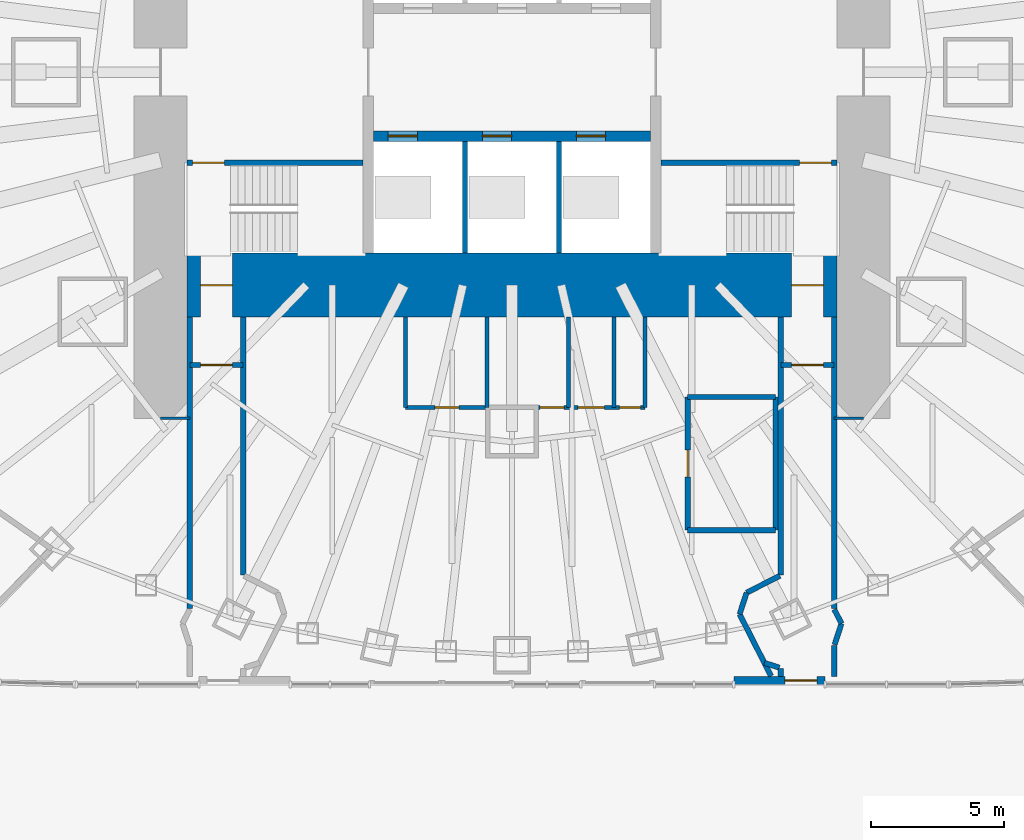
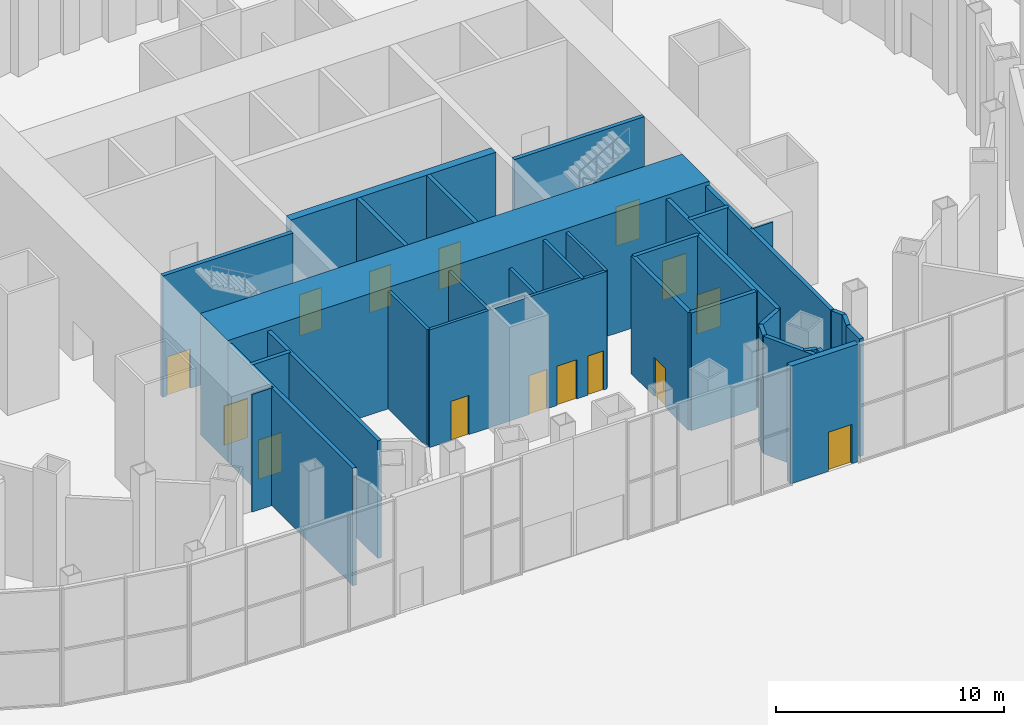
# One storey, part 17 of 47: 33 walls, 15 doors, 15 openings.
"""IFC4 building model written with IfcOpenShell, lengths in metres."""

from ifc_helpers import new_model, si_unit, direction, frame, frame_2d, origin, place, context, subcontext, project, spatial, rectangle, extrude, material, layer, layer_set, type_object, element, fill, save


model = new_model("IFC4")

# Units and contexts
model_context = context("Model", 3, precision=1e-05, world=origin(), true_north=direction((0.0, 1.0)))
body_context = subcontext(model_context, "Body", "Model", "MODEL_VIEW")
ifc_project = project(units=[si_unit("LENGTHUNIT", "METRE"), si_unit("AREAUNIT", "SQUARE_METRE"), si_unit("VOLUMEUNIT", "CUBIC_METRE"), si_unit("PLANEANGLEUNIT", "RADIAN"), si_unit("MASSUNIT", "GRAM", prefix="KILO")], contexts=[model_context])

# Site, building, storey
site_placement = place(None, origin())
site = spatial("IfcSite", under=ifc_project, at=site_placement, CompositionType="ELEMENT")
building_placement = place(site_placement, origin())
building = spatial("IfcBuilding", under=site, at=building_placement, Name="Lantaw Convention Tower", CompositionType="ELEMENT")
storey_placement = place(building_placement, origin())
storey = spatial("IfcBuildingStorey", under=building, at=storey_placement, Name="L00", CompositionType="ELEMENT", Elevation=0.0)

# Wall, opening, door
ifc_material_1 = material(Name="Concrete C60/75", Category="concrete")
ifc_layer_1 = layer(ifc_material_1, 0.199951171875)
ifc_layer_set_1 = layer_set([ifc_layer_1], Name="Core wall 200")
wall_type_1 = type_object("IfcWallType", Name="Core wall 200", PredefinedType="SHEAR", material=ifc_layer_set_1)
wall_1_placement = place(storey_placement, frame((5.60009765625, -3.39990234375, 0.0), z_axis=(0.0, 0.0, 1.0), x_axis=(1.0, 0.0, 0.0)))
wall_1 = element("IfcWall", 1, at=wall_1_placement, inside=storey, type_object=wall_type_1, Name="Core wall ES", PredefinedType="SHEAR", context=body_context, shape_type="SweptSolid", body=[
    extrude(rectangle(XDim=6.599853515625, YDim=0.199951171875, at=frame_2d((3.2998046875, 0.0))), origin(), (0.0, 0.0, 1.0), 6.5),
])
opening_1_placement = place(wall_1_placement, frame((5.199951171875, 0.0, 0.0)))
opening_1 = element("IfcOpeningElement", 2, at=opening_1_placement, cuts=wall_1, Name="Opening L00.03", PredefinedType="OPENING", context=body_context, shape_type="SweptSolid", body=[
    extrude(rectangle(XDim=1.199951171875, YDim=2.10009765625, at=frame_2d((0.60009765625, 1.050048828125))), frame((0.0, 0.10986328125, 0.0), z_axis=(0.0, -1.0, 0.0), x_axis=(1.0, 0.0, 0.0)), (0.0, 0.0, 1.0), 0.219970703125),
])
ifc_material_2 = material(Name="Steel, fire rated", Category="steel")
door_type_1 = type_object("IfcDoorType", Name="Stair door FD90", OperationType="SINGLE_SWING_RIGHT", PredefinedType="DOOR", material=ifc_material_2)
door_1_placement = place(opening_1_placement, origin())
door_1 = element("IfcDoor", 3, at=door_1_placement, inside=storey, type_object=door_type_1, Name="Exit stair door", OperationType="SINGLE_SWING_RIGHT", OverallHeight=2.10009765625, OverallWidth=1.199951171875, PredefinedType="DOOR", context=body_context, shape_type="SweptSolid", body=[
    extrude(rectangle(XDim=1.199951171875, YDim=2.10009765625, at=frame_2d((0.60009765625, 1.050048828125))), frame((0.0, 0.02490234375, 0.0), z_axis=(0.0, -1.0, 0.0), x_axis=(1.0, 0.0, 0.0)), (0.0, 0.0, 1.0), 0.050048828125),
])
fill(opening_1, door_1)

wall_2_placement = place(storey_placement, frame((-5.60009765625, -3.39990234375, 0.0), z_axis=(0.0, 0.0, 1.0), x_axis=(-1.0, 0.0, 0.0)))
wall_2 = element("IfcWall", 4, at=wall_2_placement, inside=storey, type_object=wall_type_1, Name="Core wall WS", PredefinedType="SHEAR", context=body_context, shape_type="SweptSolid", body=[
    extrude(rectangle(XDim=6.599853515625, YDim=0.199951171875, at=frame_2d((3.2998046875, 0.0))), origin(), (0.0, 0.0, 1.0), 6.5),
])
opening_2_placement = place(wall_2_placement, frame((5.199951171875, 0.0, 0.0)))
opening_2 = element("IfcOpeningElement", 5, at=opening_2_placement, cuts=wall_2, Name="Opening L00.04", PredefinedType="OPENING", context=body_context, shape_type="SweptSolid", body=[
    extrude(rectangle(XDim=1.199951171875, YDim=2.10009765625, at=frame_2d((0.60009765625, 1.050048828125))), frame((0.0, 0.10986328125, 0.0), z_axis=(0.0, -1.0, 0.0), x_axis=(1.0, 0.0, 0.0)), (0.0, 0.0, 1.0), 0.219970703125),
])
door_2_placement = place(opening_2_placement, origin())
door_2 = element("IfcDoor", 6, at=door_2_placement, inside=storey, type_object=door_type_1, Name="Exit stair door", OperationType="SINGLE_SWING_RIGHT", OverallHeight=2.10009765625, OverallWidth=1.199951171875, PredefinedType="DOOR", context=body_context, shape_type="SweptSolid", body=[
    extrude(rectangle(XDim=1.199951171875, YDim=2.10009765625, at=frame_2d((0.60009765625, 1.050048828125))), frame((0.0, 0.02490234375, 0.0), z_axis=(0.0, -1.0, 0.0), x_axis=(1.0, 0.0, 0.0)), (0.0, 0.0, 1.0), 0.050048828125),
])
fill(opening_2, door_2)

# Wall, openings, doors
ifc_layer_2 = layer(ifc_material_1, 2.39990234375)
ifc_layer_set_2 = layer_set([ifc_layer_2], Name="Core wall 2400")
wall_type_2 = type_object("IfcWallType", Name="Core wall 2400", PredefinedType="SHEAR", material=ifc_layer_set_2)
wall_3_placement = place(storey_placement, frame((-12.199951171875, -8.0, 0.0), z_axis=(0.0, 0.0, 1.0), x_axis=(1.0, 0.0, 0.0)))
wall_3 = element("IfcWall", 7, at=wall_3_placement, inside=storey, type_object=wall_type_2, Name="Core wall S", PredefinedType="SHEAR", context=body_context, shape_type="SweptSolid", body=[
    extrude(rectangle(XDim=24.39990234375, YDim=2.39990234375, at=frame_2d((12.199951171875, 0.0))), origin(), (0.0, 0.0, 1.0), 6.5),
])
opening_3_placement = place(wall_3_placement, frame((0.5, 0.0, 0.0)))
opening_3 = element("IfcOpeningElement", 8, at=opening_3_placement, cuts=wall_3, Name="Opening L00.33", PredefinedType="OPENING", context=body_context, shape_type="SweptSolid", body=[
    extrude(rectangle(XDim=1.199951171875, YDim=2.10009765625, at=frame_2d((0.60009765625, 1.050048828125))), frame((0.0, 1.2099609375, 0.0), z_axis=(0.0, -1.0, 0.0), x_axis=(1.0, 0.0, 0.0)), (0.0, 0.0, 1.0), 2.419921875),
])
opening_4_placement = place(wall_3_placement, frame((22.699951171875, 0.0, 0.0)))
opening_4 = element("IfcOpeningElement", 9, at=opening_4_placement, cuts=wall_3, Name="Opening L00.35", PredefinedType="OPENING", context=body_context, shape_type="SweptSolid", body=[
    extrude(rectangle(XDim=1.199951171875, YDim=2.10009765625, at=frame_2d((0.60009765625, 1.050048828125))), frame((0.0, 1.2099609375, 0.0), z_axis=(0.0, -1.0, 0.0), x_axis=(1.0, 0.0, 0.0)), (0.0, 0.0, 1.0), 2.419921875),
])
door_3_placement = place(opening_3_placement, origin())
door_3 = element("IfcDoor", 10, at=door_3_placement, inside=storey, type_object=door_type_1, Name="Exit stair discharge door", OperationType="SINGLE_SWING_LEFT", OverallHeight=2.10009765625, OverallWidth=1.199951171875, PredefinedType="DOOR", context=body_context, shape_type="SweptSolid", body=[
    extrude(rectangle(XDim=1.199951171875, YDim=2.10009765625, at=frame_2d((0.60009765625, 1.050048828125))), frame((0.0, 0.02490234375, 0.0), z_axis=(0.0, -1.0, 0.0), x_axis=(1.0, 0.0, 0.0)), (0.0, 0.0, 1.0), 0.050048828125),
])
fill(opening_3, door_3)
door_4_placement = place(opening_4_placement, origin())
door_4 = element("IfcDoor", 11, at=door_4_placement, inside=storey, type_object=door_type_1, Name="Exit stair discharge door", OperationType="SINGLE_SWING_LEFT", OverallHeight=2.10009765625, OverallWidth=1.199951171875, PredefinedType="DOOR", context=body_context, shape_type="SweptSolid", body=[
    extrude(rectangle(XDim=1.199951171875, YDim=2.10009765625, at=frame_2d((0.60009765625, 1.050048828125))), frame((0.0, 0.02490234375, 0.0), z_axis=(0.0, -1.0, 0.0), x_axis=(1.0, 0.0, 0.0)), (0.0, 0.0, 1.0), 0.050048828125),
])
fill(opening_4, door_4)

ifc_layer_3 = layer(ifc_material_1, 0.39990234375)
ifc_layer_set_3 = layer_set([ifc_layer_3], Name="Core wall 400")
wall_type_3 = type_object("IfcWallType", Name="Core wall 400", PredefinedType="SHEAR", material=ifc_layer_set_3)
wall_4_placement = place(storey_placement, frame((-5.199951171875, -2.39990234375, 0.0), z_axis=(0.0, 0.0, 1.0), x_axis=(1.0, 0.0, 0.0)))
wall_4 = element("IfcWall", 12, at=wall_4_placement, inside=storey, type_object=wall_type_3, Name="Core wall BS", PredefinedType="SHEAR", context=body_context, shape_type="SweptSolid", body=[
    extrude(rectangle(XDim=10.39990234375, YDim=0.39990234375, at=frame_2d((5.199951171875, 0.0))), origin(), (0.0, 0.0, 1.0), 6.5),
])
opening_5_placement = place(wall_4_placement, frame((0.550048828125, 0.0, 0.0)))
opening_5 = element("IfcOpeningElement", 13, at=opening_5_placement, cuts=wall_4, Name="Opening L00.08", PredefinedType="OPENING", context=body_context, shape_type="SweptSolid", body=[
    extrude(rectangle(XDim=1.10009765625, YDim=2.199951171875, at=frame_2d((0.550048828125, 1.10009765625))), frame((0.0, 0.2099609375, 0.0), z_axis=(0.0, -1.0, 0.0), x_axis=(1.0, 0.0, 0.0)), (0.0, 0.0, 1.0), 0.419921875),
])
opening_6_placement = place(wall_4_placement, frame((4.083251953125, 0.0, 0.0)))
opening_6 = element("IfcOpeningElement", 14, at=opening_6_placement, cuts=wall_4, Name="Opening L00.10", PredefinedType="OPENING", context=body_context, shape_type="SweptSolid", body=[
    extrude(rectangle(XDim=1.10009765625, YDim=2.199951171875, at=frame_2d((0.550048828125, 1.10009765625))), frame((0.0, 0.2099609375, 0.0), z_axis=(0.0, -1.0, 0.0), x_axis=(1.0, 0.0, 0.0)), (0.0, 0.0, 1.0), 0.419921875),
])
opening_7_placement = place(wall_4_placement, frame((7.61669921875, 0.0, 0.0)))
opening_7 = element("IfcOpeningElement", 15, at=opening_7_placement, cuts=wall_4, Name="Opening L00.12", PredefinedType="OPENING", context=body_context, shape_type="SweptSolid", body=[
    extrude(rectangle(XDim=1.10009765625, YDim=2.199951171875, at=frame_2d((0.550048828125, 1.10009765625))), frame((0.0, 0.2099609375, 0.0), z_axis=(0.0, -1.0, 0.0), x_axis=(1.0, 0.0, 0.0)), (0.0, 0.0, 1.0), 0.419921875),
])
ifc_material_3 = material(Name="Stainless steel", Category="steel")
door_type_2 = type_object("IfcDoorType", Name="Lift landing door 1100", OperationType="DOUBLE_DOOR_SLIDING", PredefinedType="DOOR", material=ifc_material_3)
door_5_placement = place(opening_5_placement, origin())
door_5 = element("IfcDoor", 16, at=door_5_placement, inside=storey, type_object=door_type_2, Name="Lift landing door H1", OperationType="DOUBLE_DOOR_SLIDING", OverallHeight=2.199951171875, OverallWidth=1.10009765625, PredefinedType="DOOR", context=body_context, shape_type="SweptSolid", body=[
    extrude(rectangle(XDim=1.10009765625, YDim=2.199951171875, at=frame_2d((0.550048828125, 1.10009765625))), frame((0.0, 0.02490234375, 0.0), z_axis=(0.0, -1.0, 0.0), x_axis=(1.0, 0.0, 0.0)), (0.0, 0.0, 1.0), 0.050048828125),
])
fill(opening_5, door_5)
door_6_placement = place(opening_6_placement, origin())
door_6 = element("IfcDoor", 17, at=door_6_placement, inside=storey, type_object=door_type_2, Name="Lift landing door H2", OperationType="DOUBLE_DOOR_SLIDING", OverallHeight=2.199951171875, OverallWidth=1.10009765625, PredefinedType="DOOR", context=body_context, shape_type="SweptSolid", body=[
    extrude(rectangle(XDim=1.10009765625, YDim=2.199951171875, at=frame_2d((0.550048828125, 1.10009765625))), frame((0.0, 0.02490234375, 0.0), z_axis=(0.0, -1.0, 0.0), x_axis=(1.0, 0.0, 0.0)), (0.0, 0.0, 1.0), 0.050048828125),
])
fill(opening_6, door_6)
door_7_placement = place(opening_7_placement, origin())
door_7 = element("IfcDoor", 18, at=door_7_placement, inside=storey, type_object=door_type_2, Name="Lift landing door H3", OperationType="DOUBLE_DOOR_SLIDING", OverallHeight=2.199951171875, OverallWidth=1.10009765625, PredefinedType="DOOR", context=body_context, shape_type="SweptSolid", body=[
    extrude(rectangle(XDim=1.10009765625, YDim=2.199951171875, at=frame_2d((0.550048828125, 1.10009765625))), frame((0.0, 0.02490234375, 0.0), z_axis=(0.0, -1.0, 0.0), x_axis=(1.0, 0.0, 0.0)), (0.0, 0.0, 1.0), 0.050048828125),
])
fill(opening_7, door_7)

# Wall, opening, door
ifc_material_4 = material(Name="Concrete blockwork, fire rated", Category="masonry")
ifc_layer_4 = layer(ifc_material_4, 0.199951171875)
ifc_layer_set_4 = layer_set([ifc_layer_4], Name="Exit passage wall 200 EI 120")
wall_type_4 = type_object("IfcWallType", Name="Exit passage wall 200 EI 120", PredefinedType="SOLIDWALL", material=ifc_layer_set_4)
wall_5_placement = place(storey_placement, frame((-12.10009765625, -11.0, 0.0), z_axis=(0.0, 0.0, 1.0), x_axis=(1.0, 0.0, 0.0)))
wall_5 = element("IfcWall", 19, at=wall_5_placement, inside=storey, type_object=wall_type_4, Name="Exit passage wall 200", PredefinedType="SOLIDWALL", context=body_context, shape_type="SweptSolid", body=[
    extrude(rectangle(XDim=2.0, YDim=0.199951171875, at=frame_2d((1.0, 0.0))), origin(), (0.0, 0.0, 1.0), 6.300048828125),
])
opening_8_placement = place(wall_5_placement, frame((0.39990234375, 0.0, 0.0)))
opening_8 = element("IfcOpeningElement", 20, at=opening_8_placement, cuts=wall_5, Name="Opening L00.32", PredefinedType="OPENING", context=body_context, shape_type="SweptSolid", body=[
    extrude(rectangle(XDim=1.199951171875, YDim=2.10009765625, at=frame_2d((0.60009765625, 1.050048828125))), frame((0.0, 0.10986328125, 0.0), z_axis=(0.0, -1.0, 0.0), x_axis=(1.0, 0.0, 0.0)), (0.0, 0.0, 1.0), 0.219970703125),
])
door_type_3 = type_object("IfcDoorType", Name="Exit passage door 1200 FD90", OperationType="SINGLE_SWING_RIGHT", PredefinedType="DOOR", material=ifc_material_2)
door_8_placement = place(opening_8_placement, origin())
door_8 = element("IfcDoor", 21, at=door_8_placement, inside=storey, type_object=door_type_3, Name="Exit passage door", OperationType="SINGLE_SWING_RIGHT", OverallHeight=2.10009765625, OverallWidth=1.199951171875, PredefinedType="DOOR", context=body_context, shape_type="SweptSolid", body=[
    extrude(rectangle(XDim=1.199951171875, YDim=2.10009765625, at=frame_2d((0.60009765625, 1.050048828125))), frame((0.0, 0.02490234375, 0.0), z_axis=(0.0, -1.0, 0.0), x_axis=(1.0, 0.0, 0.0)), (0.0, 0.0, 1.0), 0.050048828125),
])
fill(opening_8, door_8)

wall_6_placement = place(storey_placement, frame((10.10009765625, -11.0, 0.0), z_axis=(0.0, 0.0, 1.0), x_axis=(1.0, 0.0, 0.0)))
wall_6 = element("IfcWall", 22, at=wall_6_placement, inside=storey, type_object=wall_type_4, Name="Exit passage wall 200", PredefinedType="SOLIDWALL", context=body_context, shape_type="SweptSolid", body=[
    extrude(rectangle(XDim=2.0, YDim=0.199951171875, at=frame_2d((1.0, 0.0))), origin(), (0.0, 0.0, 1.0), 6.300048828125),
])
opening_9_placement = place(wall_6_placement, frame((0.39990234375, 0.0, 0.0)))
opening_9 = element("IfcOpeningElement", 23, at=opening_9_placement, cuts=wall_6, Name="Opening L00.34", PredefinedType="OPENING", context=body_context, shape_type="SweptSolid", body=[
    extrude(rectangle(XDim=1.199951171875, YDim=2.10009765625, at=frame_2d((0.60009765625, 1.050048828125))), frame((0.0, 0.10986328125, 0.0), z_axis=(0.0, -1.0, 0.0), x_axis=(1.0, 0.0, 0.0)), (0.0, 0.0, 1.0), 0.219970703125),
])
door_9_placement = place(opening_9_placement, origin())
door_9 = element("IfcDoor", 24, at=door_9_placement, inside=storey, type_object=door_type_3, Name="Exit passage door", OperationType="SINGLE_SWING_RIGHT", OverallHeight=2.10009765625, OverallWidth=1.199951171875, PredefinedType="DOOR", context=body_context, shape_type="SweptSolid", body=[
    extrude(rectangle(XDim=1.199951171875, YDim=2.10009765625, at=frame_2d((0.60009765625, 1.050048828125))), frame((0.0, 0.02490234375, 0.0), z_axis=(0.0, -1.0, 0.0), x_axis=(1.0, 0.0, 0.0)), (0.0, 0.0, 1.0), 0.050048828125),
])
fill(opening_9, door_9)

# Walls
wall_7_placement = place(storey_placement, frame((-12.10009765625, -9.199951171875, 0.0), z_axis=(0.0, 0.0, 1.0), x_axis=(0.0, -1.0, 0.0)))
element("IfcWall", 25, at=wall_7_placement, inside=storey, type_object=wall_type_4, Name="Exit passage wall 200", PredefinedType="SOLIDWALL", context=body_context, shape_type="SweptSolid", body=[
    extrude(rectangle(XDim=10.9462890625, YDim=0.199951171875, at=frame_2d((5.47314453125, 0.0))), origin(), (0.0, 0.0, 1.0), 6.300048828125),
])
for number, where, z_axis, x_axis, name in (
    (26, (-10.10009765625, -18.883544921875, 0.0), (0.0, 0.0, 1.0), (0.0, 1.0, 0.0), "Exit passage wall 200"),
    (27, (10.10009765625, -9.199951171875, 0.0), (0.0, 0.0, 1.0), (0.0, -1.0, 0.0), "Exit passage wall 200"),
):
    element("IfcWall", number, at=place(storey_placement, frame(where, z_axis=z_axis, x_axis=x_axis)), inside=storey, type_object=wall_type_4, Name=name, PredefinedType="SOLIDWALL", context=body_context, shape_type="SweptSolid", body=[
        extrude(rectangle(XDim=9.68359375, YDim=0.199951171875, at=frame_2d((4.841796875, 0.0))), origin(), (0.0, 0.0, 1.0), 6.300048828125),
    ])
wall_8_placement = place(storey_placement, frame((10.10009765625, -22.396484375, 0.0), z_axis=(0.0, 0.0, 1.0), x_axis=(0.0, -1.0, 0.0)))
element("IfcWall", 28, at=wall_8_placement, inside=storey, type_object=wall_type_4, Name="Exit passage wall 200", PredefinedType="SOLIDWALL", context=body_context, shape_type="SweptSolid", body=[
    extrude(rectangle(XDim=0.303466796875, YDim=0.199951171875, at=frame_2d((0.15185546875, 0.0))), origin(), (0.0, 0.0, 1.0), 6.300048828125),
])
wall_9_placement = place(storey_placement, frame((12.10009765625, -22.699951171875, 0.0), z_axis=(0.0, 0.0, 1.0), x_axis=(0.0, 1.0, 0.0)))
element("IfcWall", 29, at=wall_9_placement, inside=storey, type_object=wall_type_4, Name="Exit passage wall 200", PredefinedType="SOLIDWALL", context=body_context, shape_type="SweptSolid", body=[
    extrude(rectangle(XDim=1.165283203125, YDim=0.199951171875, at=frame_2d((0.58251953125, 0.0))), origin(), (0.0, 0.0, 1.0), 6.300048828125),
])
wall_10_placement = place(storey_placement, frame((12.10009765625, -20.146240234375, 0.0), z_axis=(0.0, 0.0, 1.0), x_axis=(0.0, 1.0, 0.0)))
element("IfcWall", 30, at=wall_10_placement, inside=storey, type_object=wall_type_4, Name="Exit passage wall 200", PredefinedType="SOLIDWALL", context=body_context, shape_type="SweptSolid", body=[
    extrude(rectangle(XDim=10.9462890625, YDim=0.199951171875, at=frame_2d((5.47314453125, 0.0))), origin(), (0.0, 0.0, 1.0), 6.300048828125),
])
wall_11_placement = place(storey_placement, frame((9.7333984375, -22.68212890625, 0.0), z_axis=(0.0, 0.0, 1.0), x_axis=(-0.453979075462, 0.891012345056, 0.0)))
element("IfcWall", 31, at=wall_11_placement, inside=storey, type_object=wall_type_4, Name="Exit passage wall 200", PredefinedType="SOLIDWALL", context=body_context, shape_type="SweptSolid", body=[
    extrude(rectangle(XDim=2.607666015625, YDim=0.199951171875, at=frame_2d((1.3037109375, 0.0))), origin(), (0.0, 0.0, 1.0), 6.300048828125),
])
wall_12_placement = place(storey_placement, frame((8.549560546875, -20.358642578125, 0.0), z_axis=(0.0, 0.0, 1.0), x_axis=(0.309144594925, 0.951015046899, 0.0)))
element("IfcWall", 32, at=wall_12_placement, inside=storey, type_object=wall_type_4, Name="Exit passage wall 200", PredefinedType="SOLIDWALL", context=body_context, shape_type="SweptSolid", body=[
    extrude(rectangle(XDim=0.848876953125, YDim=0.199951171875, at=frame_2d((0.42431640625, 0.0))), origin(), (0.0, 0.0, 1.0), 6.300048828125),
])
wall_13_placement = place(storey_placement, frame((8.81201171875, -19.55126953125, 0.0), z_axis=(0.0, 0.0, 1.0), x_axis=(0.890958554587, 0.454084633089, 0.0)))
element("IfcWall", 33, at=wall_13_placement, inside=storey, type_object=wall_type_4, Name="Exit passage wall 200", PredefinedType="SOLIDWALL", context=body_context, shape_type="SweptSolid", body=[
    extrude(rectangle(XDim=1.404296875, YDim=0.199951171875, at=frame_2d((0.7021484375, 0.0))), origin(), (0.0, 0.0, 1.0), 6.300048828125),
])
wall_14_placement = place(storey_placement, frame((12.10400390625, -20.17626953125, 0.0), z_axis=(0.0, 0.0, 1.0), x_axis=(0.454060346632, -0.89097093197, 0.0)))
element("IfcWall", 34, at=wall_14_placement, inside=storey, type_object=wall_type_4, Name="Exit passage wall 200", PredefinedType="SOLIDWALL", context=body_context, shape_type="SweptSolid", body=[
    extrude(rectangle(XDim=0.597900390625, YDim=0.199951171875, at=frame_2d((0.298828125, 0.0))), origin(), (0.0, 0.0, 1.0), 6.300048828125),
])
wall_15_placement = place(storey_placement, frame((12.37548828125, -20.708984375, 0.0), z_axis=(0.0, 0.0, 1.0), x_axis=(-0.308775894508, -0.951134820607, 0.0)))
element("IfcWall", 35, at=wall_15_placement, inside=storey, type_object=wall_type_4, Name="Exit passage wall 200", PredefinedType="SOLIDWALL", context=body_context, shape_type="SweptSolid", body=[
    extrude(rectangle(XDim=0.83642578125, YDim=0.199951171875, at=frame_2d((0.418212890625, 0.0))), origin(), (0.0, 0.0, 1.0), 6.300048828125),
])
wall_16_placement = place(storey_placement, frame((10.0400390625, -22.36669921875, 0.0), z_axis=(0.0, 0.0, 1.0), x_axis=(-0.951018841362, 0.309132921855, 0.0)))
element("IfcWall", 36, at=wall_16_placement, inside=storey, type_object=wall_type_4, Name="Exit passage wall 200", PredefinedType="SOLIDWALL", context=body_context, shape_type="SweptSolid", body=[
    extrude(rectangle(XDim=0.589111328125, YDim=0.199951171875, at=frame_2d((0.29443359375, 0.0))), origin(), (0.0, 0.0, 1.0), 6.300048828125),
])

# Wall, opening, door
ifc_layer_5 = layer(ifc_material_4, 0.199951171875)
ifc_layer_set_5 = layer_set([ifc_layer_5], Name="Fire command room wall 200 EI 120")
wall_type_5 = type_object("IfcWallType", Name="Fire command room wall 200 EI 120", PredefinedType="SOLIDWALL", material=ifc_layer_set_5)
wall_17_placement = place(storey_placement, frame((6.60009765625, -12.199951171875, 0.0), z_axis=(0.0, 0.0, 1.0), x_axis=(0.0, -1.0, 0.0)))
wall_17 = element("IfcWall", 37, at=wall_17_placement, inside=storey, type_object=wall_type_5, Name="Fire command room wall 200", PredefinedType="SOLIDWALL", context=body_context, shape_type="SweptSolid", body=[
    extrude(rectangle(XDim=5.0, YDim=0.199951171875, at=frame_2d((2.5, 0.0))), origin(), (0.0, 0.0, 1.0), 6.300048828125),
])
opening_10_placement = place(wall_17_placement, frame((2.0, 0.0, 0.0)))
opening_10 = element("IfcOpeningElement", 38, at=opening_10_placement, cuts=wall_17, Name="Opening L00.36", PredefinedType="OPENING", context=body_context, shape_type="SweptSolid", body=[
    extrude(rectangle(XDim=1.0, YDim=2.10009765625, at=frame_2d((0.5, 1.050048828125))), frame((0.0, 0.10986328125, 0.0), z_axis=(0.0, -1.0, 0.0), x_axis=(1.0, 0.0, 0.0)), (0.0, 0.0, 1.0), 0.219970703125),
])
door_type_4 = type_object("IfcDoorType", Name="Fire command room door FD120", OperationType="SINGLE_SWING_LEFT", PredefinedType="DOOR", material=ifc_material_2)
door_10_placement = place(opening_10_placement, origin())
door_10 = element("IfcDoor", 39, at=door_10_placement, inside=storey, type_object=door_type_4, Name="Fire command room door", OperationType="SINGLE_SWING_LEFT", OverallHeight=2.10009765625, OverallWidth=1.0, PredefinedType="DOOR", context=body_context, shape_type="SweptSolid", body=[
    extrude(rectangle(XDim=1.0, YDim=2.10009765625, at=frame_2d((0.5, 1.050048828125))), frame((0.0, 0.02490234375, 0.0), z_axis=(0.0, -1.0, 0.0), x_axis=(1.0, 0.0, 0.0)), (0.0, 0.0, 1.0), 0.050048828125),
])
fill(opening_10, door_10)

# Walls
wall_18_placement = place(storey_placement, frame((6.60009765625, -17.199951171875, 0.0), z_axis=(0.0, 0.0, 1.0), x_axis=(1.0, 0.0, 0.0)))
element("IfcWall", 40, at=wall_18_placement, inside=storey, type_object=wall_type_5, Name="Fire command room wall 200", PredefinedType="SOLIDWALL", context=body_context, shape_type="SweptSolid", body=[
    extrude(rectangle(XDim=3.2998046875, YDim=0.199951171875, at=frame_2d((1.64990234375, 0.0))), origin(), (0.0, 0.0, 1.0), 6.300048828125),
])
wall_19_placement = place(storey_placement, frame((9.89990234375, -17.199951171875, 0.0), z_axis=(0.0, 0.0, 1.0), x_axis=(0.0, 1.0, 0.0)))
element("IfcWall", 41, at=wall_19_placement, inside=storey, type_object=wall_type_5, Name="Fire command room wall 200", PredefinedType="SOLIDWALL", context=body_context, shape_type="SweptSolid", body=[
    extrude(rectangle(XDim=5.0, YDim=0.199951171875, at=frame_2d((2.5, 0.0))), origin(), (0.0, 0.0, 1.0), 6.300048828125),
])
wall_20_placement = place(storey_placement, frame((9.89990234375, -12.199951171875, 0.0), z_axis=(0.0, 0.0, 1.0), x_axis=(-1.0, 0.0, 0.0)))
element("IfcWall", 42, at=wall_20_placement, inside=storey, type_object=wall_type_5, Name="Fire command room wall 200", PredefinedType="SOLIDWALL", context=body_context, shape_type="SweptSolid", body=[
    extrude(rectangle(XDim=3.2998046875, YDim=0.199951171875, at=frame_2d((1.64990234375, 0.0))), origin(), (0.0, 0.0, 1.0), 6.300048828125),
])
ifc_material_5 = material(Name="Gypsum board on steel studs, acoustic", Category="steel")
ifc_layer_6 = layer(ifc_material_5, 0.10009765625)
ifc_layer_set_6 = layer_set([ifc_layer_6], Name="Office partition 100")
wall_type_6 = type_object("IfcWallType", Name="Office partition 100", PredefinedType="PARTITIONING", material=ifc_layer_set_6)
for number, where, z_axis, x_axis, name in (
    (43, (13.199951171875, -13.0, 0.0), (0.0, 0.0, 1.0), (-1.0, 0.0, 0.0), "Office partition 100"),
    (44, (-13.199951171875, -13.0, 0.0), (0.0, 0.0, 1.0), (1.0, 0.0, 0.0), "Office partition 100"),
):
    element("IfcWall", number, at=place(storey_placement, frame(where, z_axis=z_axis, x_axis=x_axis)), inside=storey, type_object=wall_type_6, Name=name, PredefinedType="PARTITIONING", context=body_context, shape_type="SweptSolid", body=[
        extrude(rectangle(XDim=1.099853515625, YDim=0.10009765625, at=frame_2d((0.5498046875, 0.0))), origin(), (0.0, 0.0, 1.0), 6.300048828125),
    ])

# Wall, opening, door
ifc_material_6 = material(Name="Precast concrete panel, pale aluminium rainscreen", Category="concrete")
ifc_layer_7 = layer(ifc_material_6, 0.300048828125)
ifc_layer_set_7 = layer_set([ifc_layer_7], Name="Podium external wall 300")
wall_type_7 = type_object("IfcWallType", Name="Podium external wall 300", PredefinedType="SOLIDWALL", material=ifc_layer_set_7)
wall_21_placement = place(storey_placement, frame((8.331298828125, -22.85009765625, 0.0), z_axis=(0.0, 0.0, 1.0), x_axis=(1.0, 0.0, 0.0)))
wall_21 = element("IfcWall", 45, at=wall_21_placement, inside=storey, type_object=wall_type_7, Name="Podium facade wall", PredefinedType="SOLIDWALL", context=body_context, shape_type="SweptSolid", body=[
    extrude(rectangle(XDim=3.427734375, YDim=0.300048828125, at=frame_2d((1.7138671875, 0.0))), origin(), (0.0, 0.0, 1.0), 6.300048828125),
])
opening_11_placement = place(wall_21_placement, frame((1.918701171875, 0.0, 0.0)))
opening_11 = element("IfcOpeningElement", 46, at=opening_11_placement, cuts=wall_21, Name="Opening L00.X39", PredefinedType="OPENING", context=body_context, shape_type="SweptSolid", body=[
    extrude(rectangle(XDim=1.199951171875, YDim=2.10009765625, at=frame_2d((0.60009765625, 1.050048828125))), frame((0.0, 0.159912109375, 0.0), z_axis=(0.0, -1.0, 0.0), x_axis=(1.0, 0.0, 0.0)), (0.0, 0.0, 1.0), 0.320068359375),
])
ifc_material_7 = material(Name="Aluminium and glass", Category="aluminium")
door_type_5 = type_object("IfcDoorType", Name="Exit door 1200", OperationType="SINGLE_SWING_RIGHT", PredefinedType="DOOR", material=ifc_material_7)
door_11_placement = place(opening_11_placement, frame((1.199951171875, 0.0, 0.0), z_axis=(0.0, 0.0, 1.0), x_axis=(-1.0, 0.0, 0.0)))
door_11 = element("IfcDoor", 47, at=door_11_placement, inside=storey, type_object=door_type_5, Name="Exit passage door", OperationType="SINGLE_SWING_RIGHT", OverallHeight=2.10009765625, OverallWidth=1.199951171875, PredefinedType="DOOR", context=body_context, shape_type="SweptSolid", body=[
    extrude(rectangle(XDim=1.199951171875, YDim=2.10009765625, at=frame_2d((0.60009765625, 1.050048828125))), frame((0.0, 0.02490234375, 0.0), z_axis=(0.0, -1.0, 0.0), x_axis=(1.0, 0.0, 0.0)), (0.0, 0.0, 1.0), 0.050048828125),
])
fill(opening_11, door_11)

# Walls
ifc_layer_8 = layer(ifc_material_4, 0.199951171875)
ifc_layer_set_8 = layer_set([ifc_layer_8], Name="Shaft wall 200 load-bearing")
wall_type_8 = type_object("IfcWallType", Name="Shaft wall 200 load-bearing", PredefinedType="SOLIDWALL", material=ifc_layer_set_8)
for number, where, z_axis, x_axis, name in (
    (48, (-1.7666015625, -2.60009765625, 0.0), (0.0, 0.0, 1.0), (0.0, -1.0, 0.0), "Shaft wall DS1"),
    (49, (1.7666015625, -2.60009765625, 0.0), (0.0, 0.0, 1.0), (0.0, -1.0, 0.0), "Shaft wall DS2"),
):
    element("IfcWall", number, at=place(storey_placement, frame(where, z_axis=z_axis, x_axis=x_axis)), inside=storey, type_object=wall_type_8, Name=name, PredefinedType="SOLIDWALL", context=body_context, shape_type="SweptSolid", body=[
        extrude(rectangle(XDim=4.199951171875, YDim=0.199951171875, at=frame_2d((2.10009765625, 0.0))), origin(), (0.0, 0.0, 1.0), 6.5),
    ])

# Wall, openings, doors
ifc_material_8 = material(Name="Concrete blockwork", Category="masonry")
ifc_layer_9 = layer(ifc_material_8, 0.14990234375)
ifc_layer_set_9 = layer_set([ifc_layer_9], Name="WC wall 150")
wall_type_9 = type_object("IfcWallType", Name="WC wall 150", PredefinedType="SOLIDWALL", material=ifc_layer_set_9)
wall_22_placement = place(storey_placement, frame((-4.0, -12.60009765625, 0.0), z_axis=(0.0, 0.0, 1.0), x_axis=(1.0, 0.0, 0.0)))
wall_22 = element("IfcWall", 50, at=wall_22_placement, inside=storey, type_object=wall_type_9, Name="WC wall 150", PredefinedType="SOLIDWALL", context=body_context, shape_type="SweptSolid", body=[
    extrude(rectangle(XDim=9.0, YDim=0.14990234375, at=frame_2d((4.5, 0.0))), origin(), (0.0, 0.0, 1.0), 6.300048828125),
])
opening_12_placement = place(wall_22_placement, frame((1.10009765625, 0.0, 0.0)))
opening_12 = element("IfcOpeningElement", 51, at=opening_12_placement, cuts=wall_22, Name="Opening L00.28", PredefinedType="OPENING", context=body_context, shape_type="SweptSolid", body=[
    extrude(rectangle(XDim=0.89990234375, YDim=2.10009765625, at=frame_2d((0.449951171875, 1.050048828125))), frame((0.0, 0.0849609375, 0.0), z_axis=(0.0, -1.0, 0.0), x_axis=(1.0, 0.0, 0.0)), (0.0, 0.0, 1.0), 0.169921875),
])
opening_13_placement = place(wall_22_placement, frame((5.06005859375, 0.0, 0.0)))
opening_13 = element("IfcOpeningElement", 52, at=opening_13_placement, cuts=wall_22, Name="Opening L00.29", PredefinedType="OPENING", context=body_context, shape_type="SweptSolid", body=[
    extrude(rectangle(XDim=0.89990234375, YDim=2.10009765625, at=frame_2d((0.449951171875, 1.050048828125))), frame((0.0, 0.0849609375, 0.0), z_axis=(0.0, -1.0, 0.0), x_axis=(1.0, 0.0, 0.0)), (0.0, 0.0, 1.0), 0.169921875),
])
opening_14_placement = place(wall_22_placement, frame((6.469970703125, 0.0, 0.0)))
opening_14 = element("IfcOpeningElement", 53, at=opening_14_placement, cuts=wall_22, Name="Opening L00.30", PredefinedType="OPENING", context=body_context, shape_type="SweptSolid", body=[
    extrude(rectangle(XDim=1.0, YDim=2.10009765625, at=frame_2d((0.5, 1.050048828125))), frame((0.0, 0.0849609375, 0.0), z_axis=(0.0, -1.0, 0.0), x_axis=(1.0, 0.0, 0.0)), (0.0, 0.0, 1.0), 0.169921875),
])
opening_15_placement = place(wall_22_placement, frame((8.030029296875, 0.0, 0.0)))
opening_15 = element("IfcOpeningElement", 54, at=opening_15_placement, cuts=wall_22, Name="Opening L00.31", PredefinedType="OPENING", context=body_context, shape_type="SweptSolid", body=[
    extrude(rectangle(XDim=0.800048828125, YDim=2.10009765625, at=frame_2d((0.39990234375, 1.050048828125))), frame((0.0, 0.0849609375, 0.0), z_axis=(0.0, -1.0, 0.0), x_axis=(1.0, 0.0, 0.0)), (0.0, 0.0, 1.0), 0.169921875),
])
ifc_material_9 = material(Name="Timber", Category="wood")
door_type_6 = type_object("IfcDoorType", Name="Accessible WC door 1000", OperationType="SINGLE_SWING_LEFT", PredefinedType="DOOR", material=ifc_material_9)
door_12_placement = place(opening_14_placement, origin())
door_12 = element("IfcDoor", 55, at=door_12_placement, inside=storey, type_object=door_type_6, Name="Accessible WC door", OperationType="SINGLE_SWING_LEFT", OverallHeight=2.10009765625, OverallWidth=1.0, PredefinedType="DOOR", context=body_context, shape_type="SweptSolid", body=[
    extrude(rectangle(XDim=1.0, YDim=2.10009765625, at=frame_2d((0.5, 1.050048828125))), frame((0.0, 0.02490234375, 0.0), z_axis=(0.0, -1.0, 0.0), x_axis=(1.0, 0.0, 0.0)), (0.0, 0.0, 1.0), 0.050048828125),
])
fill(opening_14, door_12)
door_type_7 = type_object("IfcDoorType", Name="WC door 800", OperationType="SINGLE_SWING_LEFT", PredefinedType="DOOR", material=ifc_material_9)
door_13_placement = place(opening_15_placement, origin())
door_13 = element("IfcDoor", 56, at=door_13_placement, inside=storey, type_object=door_type_7, Name="Baby care room door", OperationType="SINGLE_SWING_LEFT", OverallHeight=2.10009765625, OverallWidth=0.800048828125, PredefinedType="DOOR", context=body_context, shape_type="SweptSolid", body=[
    extrude(rectangle(XDim=0.800048828125, YDim=2.10009765625, at=frame_2d((0.39990234375, 1.050048828125))), frame((0.0, 0.02490234375, 0.0), z_axis=(0.0, -1.0, 0.0), x_axis=(1.0, 0.0, 0.0)), (0.0, 0.0, 1.0), 0.050048828125),
])
fill(opening_15, door_13)
door_type_8 = type_object("IfcDoorType", Name="WC door 900", OperationType="SINGLE_SWING_LEFT", PredefinedType="DOOR", material=ifc_material_9)
door_14_placement = place(opening_12_placement, origin())
door_14 = element("IfcDoor", 57, at=door_14_placement, inside=storey, type_object=door_type_8, Name="Male WC door", OperationType="SINGLE_SWING_LEFT", OverallHeight=2.10009765625, OverallWidth=0.89990234375, PredefinedType="DOOR", context=body_context, shape_type="SweptSolid", body=[
    extrude(rectangle(XDim=0.89990234375, YDim=2.10009765625, at=frame_2d((0.449951171875, 1.050048828125))), frame((0.0, 0.02490234375, 0.0), z_axis=(0.0, -1.0, 0.0), x_axis=(1.0, 0.0, 0.0)), (0.0, 0.0, 1.0), 0.050048828125),
])
fill(opening_12, door_14)
door_15_placement = place(opening_13_placement, origin())
door_15 = element("IfcDoor", 58, at=door_15_placement, inside=storey, type_object=door_type_8, Name="Female WC door", OperationType="SINGLE_SWING_LEFT", OverallHeight=2.10009765625, OverallWidth=0.89990234375, PredefinedType="DOOR", context=body_context, shape_type="SweptSolid", body=[
    extrude(rectangle(XDim=0.89990234375, YDim=2.10009765625, at=frame_2d((0.449951171875, 1.050048828125))), frame((0.0, 0.02490234375, 0.0), z_axis=(0.0, -1.0, 0.0), x_axis=(1.0, 0.0, 0.0)), (0.0, 0.0, 1.0), 0.050048828125),
])
fill(opening_13, door_15)

# Walls
for number, where, z_axis, x_axis, name in (
    (59, (-4.0, -9.199951171875, 0.0), (0.0, 0.0, 1.0), (0.0, -1.0, 0.0), "WC wall 150"),
    (60, (5.0, -9.199951171875, 0.0), (0.0, 0.0, 1.0), (0.0, -1.0, 0.0), "WC wall 150"),
    (61, (-0.93994140625, -9.199951171875, 0.0), (0.0, 0.0, 1.0), (0.0, -1.0, 0.0), "WC wall 150"),
):
    element("IfcWall", number, at=place(storey_placement, frame(where, z_axis=z_axis, x_axis=x_axis)), inside=storey, type_object=wall_type_9, Name=name, PredefinedType="SOLIDWALL", context=body_context, shape_type="SweptSolid", body=[
        extrude(rectangle(XDim=3.400146484375, YDim=0.14990234375, at=frame_2d((1.7001953125, 0.0))), origin(), (0.0, 0.0, 1.0), 6.300048828125),
    ])
wall_23_placement = place(storey_placement, frame((2.1201171875, -9.199951171875, 0.0), z_axis=(0.0, 0.0, 1.0), x_axis=(0.0, -1.0, 0.0)))
element("IfcWall", 62, at=wall_23_placement, inside=storey, type_object=wall_type_9, Name="WC wall 150", PredefinedType="SOLIDWALL", context=body_context, shape_type="SweptSolid", body=[
    extrude(rectangle(XDim=3.400146484375, YDim=0.14990234375, at=frame_2d((1.7001953125, 0.0))), origin(), (0.0, 0.0, 1.0), 5.3779296875),
])
wall_24_placement = place(storey_placement, frame((3.830078125, -9.199951171875, 0.0), z_axis=(0.0, 0.0, 1.0), x_axis=(0.0, -1.0, 0.0)))
element("IfcWall", 63, at=wall_24_placement, inside=storey, type_object=wall_type_9, Name="WC wall 150", PredefinedType="SOLIDWALL", context=body_context, shape_type="SweptSolid", body=[
    extrude(rectangle(XDim=3.400146484375, YDim=0.14990234375, at=frame_2d((1.7001953125, 0.0))), origin(), (0.0, 0.0, 1.0), 6.300048828125),
])

save(model, "model.ifc")
